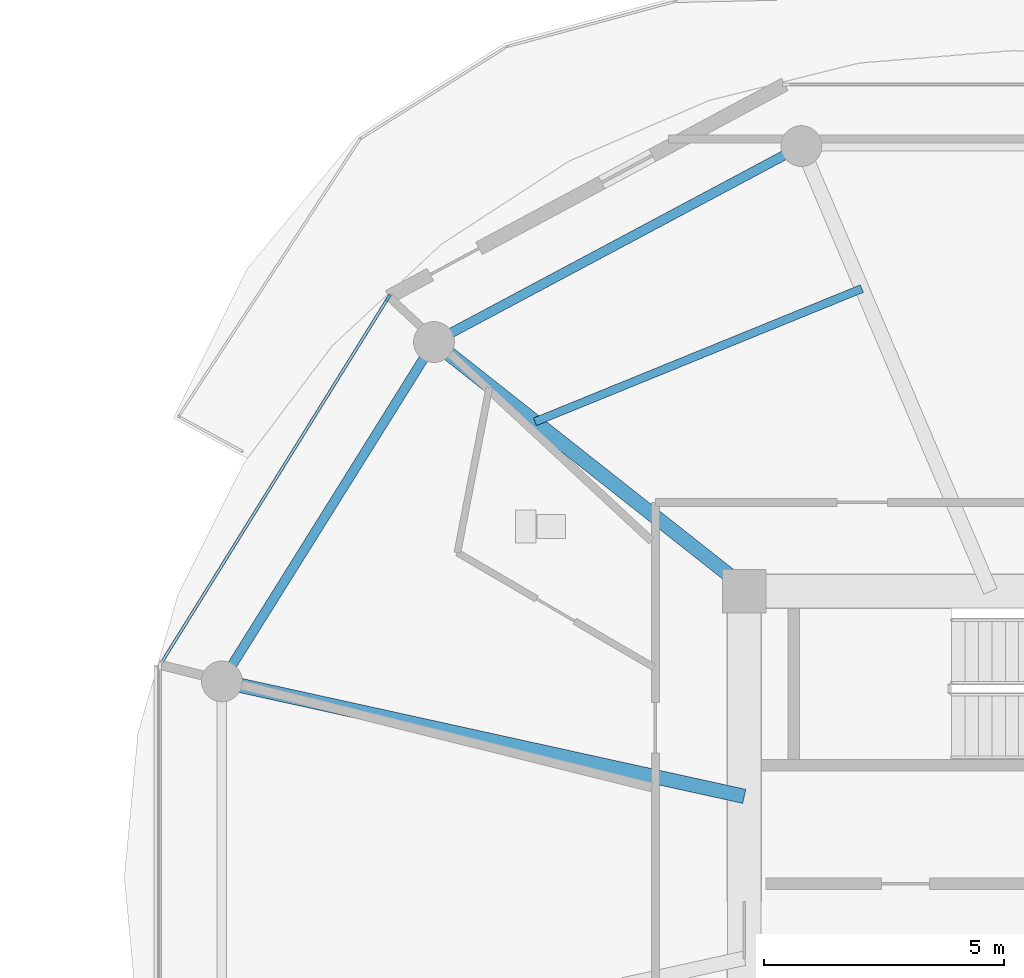
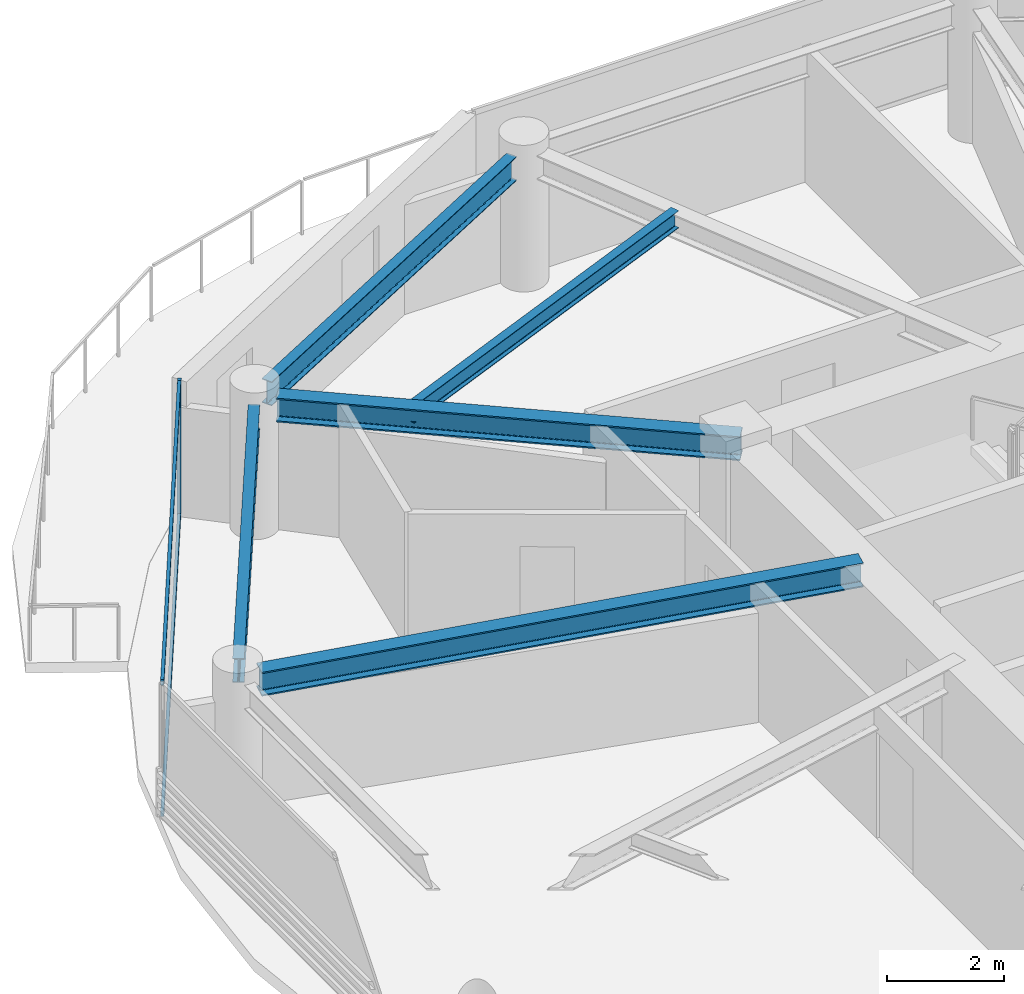
# One storey, part 8 of 24: 5 beams, 3 members, 1 element without a shape of its own.
"""IFC4 building model written with IfcOpenShell, lengths in metres."""

import ifcopenshell
import ifcopenshell.guid

model = None  # the IFC model being written
_history = None  # IfcOwnerHistory: only IFC2X3 demands one
_inside = {}  # id of a spatial element -> (the spatial element, [elements in it])
_under = {}  # id of a project, library or spatial element -> (it, [spatial elements below it])
_declared = {}  # id of a project -> (the project, [libraries it declares])
_typed = {}  # id of a type object -> (the type object, [elements of that type])
_made_of = {}  # id of a material, layer set ... -> (it, [elements and type objects made of it])


def new_model(schema):
    """Start an empty IFC model of exactly this schema.

    Asked for "IFC4X3", IfcOpenShell would pick the latest addendum, in which some entities
    have other attributes; the version numbers below select the first issue.
    IFC2X3 requires an IfcOwnerHistory on every rooted entity: one is made here for all.
    """
    global model, _history
    if schema == "IFC4X3":
        model = ifcopenshell.file(schema_version=(4, 3, 0, 0))
    else:
        model = ifcopenshell.file(schema=schema)
    _inside.clear()
    _under.clear()
    _declared.clear()
    _typed.clear()
    _made_of.clear()
    _history = None
    if model.schema == "IFC2X3":
        org = make("IfcOrganization", Name="unknown")
        user = make(
            "IfcPersonAndOrganization",
            ThePerson=make("IfcPerson", FamilyName="unknown"),
            TheOrganization=org,
        )
        app = make(
            "IfcApplication",
            ApplicationDeveloper=org,
            Version="unknown",
            ApplicationFullName="unknown",
            ApplicationIdentifier="unknown",
        )
        _history = make(
            "IfcOwnerHistory",
            OwningUser=user,
            OwningApplication=app,
            ChangeAction="ADDED",
            CreationDate=0,
        )
    return model


def make(cls, **values):
    """One entity of the class cls with the attributes given. An attribute that is None is left unset."""
    return model.create_entity(
        cls, **{name: value for name, value in values.items() if value is not None}
    )


def rooted(cls, **values):
    """An entity with a GlobalId (a new one), such as an element, a storey or a relation."""
    return make(cls, GlobalId=ifcopenshell.guid.new(), OwnerHistory=_history, **values)


def si_unit(unit_type, name, prefix=None):
    """IfcSIUnit, for example si_unit("LENGTHUNIT", "METRE", prefix="MILLI")."""
    return make("IfcSIUnit", UnitType=unit_type, Prefix=prefix, Name=name)


def assignment(units):
    """IfcUnitAssignment: the units of a project."""
    return None if units is None else make("IfcUnitAssignment", Units=units)


def point(xyz):
    """IfcCartesianPoint."""
    return None if xyz is None else make("IfcCartesianPoint", Coordinates=xyz)


def direction(xyz):
    """IfcDirection."""
    return None if xyz is None else make("IfcDirection", DirectionRatios=xyz)


def frame(location, z_axis=None, x_axis=None):
    """IfcAxis2Placement3D, a coordinate frame: its origin and axes. An axis left out is left unset."""
    return make(
        "IfcAxis2Placement3D",
        Location=point(location),
        Axis=direction(z_axis),
        RefDirection=direction(x_axis),
    )


def frame_2d(location, x_axis=None):
    """IfcAxis2Placement2D, a coordinate frame in the plane: its origin and x axis."""
    return make(
        "IfcAxis2Placement2D", Location=point(location), RefDirection=direction(x_axis)
    )


def origin():
    """The frame at (0, 0, 0) with its axes left unset."""
    return frame((0.0, 0.0, 0.0))


def origin_2d():
    """The frame at (0, 0) in the plane with its x axis left unset."""
    return frame_2d((0.0, 0.0))


def place(relative_to, where):
    """IfcLocalPlacement: puts the frame where relative to a parent placement (None: the world)."""
    return make(
        "IfcLocalPlacement", PlacementRelTo=relative_to, RelativePlacement=where
    )


def context(
    kind, dimensions, precision=None, world=None, true_north=None, identifier=None
):
    """IfcGeometricRepresentationContext, for example the 3D "Model" context."""
    return make(
        "IfcGeometricRepresentationContext",
        ContextIdentifier=identifier,
        ContextType=kind,
        CoordinateSpaceDimension=dimensions,
        Precision=precision,
        WorldCoordinateSystem=world,
        TrueNorth=true_north,
    )


def subcontext(parent, identifier, kind, view, scale=None):
    """IfcGeometricRepresentationSubContext, for example "Body" below "Model"."""
    return make(
        "IfcGeometricRepresentationSubContext",
        ContextIdentifier=identifier,
        ContextType=kind,
        ParentContext=parent,
        TargetScale=scale,
        TargetView=view,
    )


def project(units=None, contexts=None):
    """IfcProject with its units and contexts."""
    return rooted(
        "IfcProject",
        Name="project",
        RepresentationContexts=contexts,
        UnitsInContext=assignment(units),
    )


def spatial(cls, under=None, at=None, **own):
    """A site, building, storey or space (cls), placed at a placement, below another one or the project."""
    s = rooted(cls, ObjectPlacement=at, **own)
    if under is not None:
        _under.setdefault(under.id(), (under, []))[1].append(s)
    return s


def profile(cls, at=None, kind="AREA", **sizes):
    """A parametric profile (cls). Its sizes go by their IFC names, for example OverallWidth=200.0."""
    return make(cls, ProfileType=kind, Position=at, **sizes)


def rectangle(**sizes):
    """IfcRectangleProfileDef."""
    return profile("IfcRectangleProfileDef", **sizes)


def i_section(**sizes):
    """IfcIShapeProfileDef."""
    return profile("IfcIShapeProfileDef", **sizes)


def extrude(swept, where, along, depth):
    """IfcExtrudedAreaSolid: the profile swept, set in the frame where, extruded along a direction by depth."""
    return make(
        "IfcExtrudedAreaSolid",
        SweptArea=swept,
        Position=where,
        ExtrudedDirection=direction(along),
        Depth=depth,
    )


def shape(context_of_items, identifier, shape_type, items):
    """IfcShapeRepresentation: the items that make up one representation, for example the "Body"."""
    return make(
        "IfcShapeRepresentation",
        ContextOfItems=context_of_items,
        RepresentationIdentifier=identifier,
        RepresentationType=shape_type,
        Items=items,
    )


def source(mapping_origin, context_of_items, identifier, shape_type, items):
    """IfcRepresentationMap: a shape defined once, which mapped items show again and again."""
    return make(
        "IfcRepresentationMap",
        MappingOrigin=mapping_origin,
        MappedRepresentation=shape(context_of_items, identifier, shape_type, items),
    )


def transform(
    local_origin,
    x_axis=None,
    y_axis=None,
    z_axis=None,
    scale=None,
    scale2=None,
    scale3=None,
    uniform=True,
):
    """IfcCartesianTransformationOperator3D, or its non-uniform kind. x_axis, y_axis, z_axis: its Axis1, 2, 3."""
    if uniform:
        return make(
            "IfcCartesianTransformationOperator3D",
            Axis1=direction(x_axis),
            Axis2=direction(y_axis),
            LocalOrigin=point(local_origin),
            Scale=scale,
            Axis3=direction(z_axis),
        )
    return make(
        "IfcCartesianTransformationOperator3DnonUniform",
        Axis1=direction(x_axis),
        Axis2=direction(y_axis),
        LocalOrigin=point(local_origin),
        Scale=scale,
        Axis3=direction(z_axis),
        Scale2=scale2,
        Scale3=scale3,
    )


def mapped(mapping_source, mapping_target):
    """IfcMappedItem: shows the shape of a source again, moved by a transform."""
    return make(
        "IfcMappedItem", MappingSource=mapping_source, MappingTarget=mapping_target
    )


def material(Name=None, Category=None):
    """IfcMaterial."""
    return make("IfcMaterial", Name=Name, Category=Category)


def layer(
    of_material, thickness, ventilated=None, Name=None, Category=None, Priority=None
):
    """IfcMaterialLayer: one layer of a wall or slab, of a material (None: an air gap)."""
    return make(
        "IfcMaterialLayer",
        Material=of_material,
        LayerThickness=thickness,
        IsVentilated=ventilated,
        Name=Name,
        Category=Category,
        Priority=Priority,
    )


def layer_set(layers, Name=None):
    """IfcMaterialLayerSet."""
    return make("IfcMaterialLayerSet", MaterialLayers=layers, LayerSetName=Name)


def material_profile(
    of_material, cross_section, Name=None, Category=None, Priority=None
):
    """IfcMaterialProfile: a cross section and its material."""
    return make(
        "IfcMaterialProfile",
        Name=Name,
        Material=of_material,
        Profile=cross_section,
        Priority=Priority,
        Category=Category,
    )


def profile_set(profiles, Name=None, composite=None):
    """IfcMaterialProfileSet."""
    return make(
        "IfcMaterialProfileSet",
        Name=Name,
        MaterialProfiles=profiles,
        CompositeProfile=composite,
    )


def made_of(thing, what):
    """Note that an element or type object is made of a material, layer set ...; save() writes the relation."""
    if what is not None:
        _made_of.setdefault(what.id(), (what, []))[1].append(thing)
    return thing


def type_object(cls, material=None, **own):
    """A type object (cls), such as IfcWallType, which elements share."""
    return made_of(rooted(cls, **own), material)


def type_shapes(of_type, sources):
    """Give a type object the sources (RepresentationMaps) that its elements show as mapped items."""
    of_type.RepresentationMaps = sources


def element(
    cls,
    number,
    at=None,
    inside=None,
    cuts=None,
    type_object=None,
    material=None,
    context=None,
    identifier="Body",
    shape_type=None,
    held_by="IfcProductDefinitionShape",
    body=None,
    shapes=None,
    **own,
):
    """One element of the class cls, such as IfcWall. Its Tag is "e" and its number.

    at: its placement. inside: the storey or other place that contains it. cuts: it is an
    opening in that element (IfcRelVoidsElement). A single representation is given by context,
    identifier, shape_type and body (its items); several are given by shapes. held_by: the class
    of the entity that holds the representations. save() writes the other relations.
    """
    e = rooted(cls, Tag="e%d" % number, ObjectPlacement=at, **own)
    if body is not None:
        shapes = [shape(context, identifier, shape_type, body)]
    if shapes is not None:
        e.Representation = make(held_by, Representations=shapes)
    if inside is not None:
        _inside.setdefault(inside.id(), (inside, []))[1].append(e)
    if cuts is not None:
        rooted(
            "IfcRelVoidsElement", RelatingBuildingElement=cuts, RelatedOpeningElement=e
        )
    if type_object is not None:
        _typed.setdefault(type_object.id(), (type_object, []))[1].append(e)
    return made_of(e, material)


def aggregate(whole, parts):
    """IfcRelAggregates: a whole, such as a stair, and the parts it consists of."""
    return rooted("IfcRelAggregates", RelatingObject=whole, RelatedObjects=parts)


def save(model, path):
    """Write the relations noted so far, then the file.

    IfcRelAggregates (storeys below a building ...), IfcRelContainedInSpatialStructure (elements
    in a storey), IfcRelDefinesByType, IfcRelAssociatesMaterial and IfcRelDeclares: one each for
    every whole, place, type object, material and project.
    """
    for whole, parts in _under.values():
        aggregate(whole, parts)
    for where, things in _inside.values():
        rooted(
            "IfcRelContainedInSpatialStructure",
            RelatedElements=things,
            RelatingStructure=where,
        )
    for kind, things in _typed.values():
        rooted("IfcRelDefinesByType", RelatedObjects=things, RelatingType=kind)
    for what, things in _made_of.values():
        rooted("IfcRelAssociatesMaterial", RelatedObjects=things, RelatingMaterial=what)
    for by, libraries in _declared.values():
        rooted("IfcRelDeclares", RelatingContext=by, RelatedDefinitions=libraries)
    model.write(path)


model = new_model("IFC4")

# Units and contexts
model_context = context("Model", 3, precision=1e-05, world=origin(), true_north=direction((0.0, 1.0)))
body_context = subcontext(model_context, "Body", "Model", "MODEL_VIEW")
ifc_project = project(units=[si_unit("LENGTHUNIT", "METRE"), si_unit("AREAUNIT", "SQUARE_METRE"), si_unit("VOLUMEUNIT", "CUBIC_METRE"), si_unit("PLANEANGLEUNIT", "RADIAN"), si_unit("MASSUNIT", "GRAM", prefix="KILO")], contexts=[model_context])

# Site, building, storey
site_placement = place(None, origin())
site = spatial("IfcSite", under=ifc_project, at=site_placement, CompositionType="ELEMENT")
building_placement = place(site_placement, origin())
building = spatial("IfcBuilding", under=site, at=building_placement, Name="Norrkilde Senior Care Towers", CompositionType="ELEMENT")
storey_placement = place(building_placement, frame((0.0, 0.0, 114.550048828125)))
storey = spatial("IfcBuildingStorey", under=building, at=storey_placement, Name="L35", CompositionType="ELEMENT", Elevation=114.550048828125)

# Beams
ifc_material_1 = material(Name="Steel S355", Category="steel")
ifc_material_profile_1 = material_profile(ifc_material_1, i_section(OverallWidth=0.199951171875, OverallDepth=0.5, WebThickness=0.01025390625, FlangeThickness=0.01611328125, FilletRadius=0.02099609375, at=origin_2d()), Name="IPE 500")
ifc_profile_set_1 = profile_set([ifc_material_profile_1], Name="Steel S355")
beam_type_1 = type_object("IfcBeamType", Name="Perimeter Ring Spandrel Z2 IPE500", PredefinedType="SPANDREL", material=ifc_profile_set_1)
shared_shape_1 = source(origin(), body_context, "Body", "SweptSolid", [
    extrude(i_section(OverallWidth=0.199951171875, OverallDepth=0.5, WebThickness=0.01025390625, FlangeThickness=0.01611328125, FilletRadius=0.02099609375, at=origin_2d()), origin(), (0.0, 0.0, 1.0), 7.55615234375),
])
beam_1_placement = place(storey_placement, frame((13.689697265625, 10.810546875, 2.5400390625), z_axis=(-0.529981514254, -0.848009194849, 0.0), x_axis=(0.848009194849, -0.529981514254, 0.0)))
element("IfcBeam", 1, at=beam_1_placement, inside=storey, type_object=beam_type_1, Name="L35 Drum E Perimeter Spandrel 05", PredefinedType="SPANDREL", context=body_context, shape_type="MappedRepresentation", body=[
    mapped(shared_shape_1, transform((0.0, 0.0, 0.0), x_axis=(1.0, 0.0, 0.0), y_axis=(0.0, 1.0, 0.0), z_axis=(0.0, 0.0, 1.0), scale=1.0)),
])
ifc_material_profile_2 = material_profile(ifc_material_1, i_section(OverallWidth=0.300048828125, OverallDepth=0.5, WebThickness=0.014404296875, FlangeThickness=0.028076171875, FilletRadius=0.027099609375, at=origin_2d()), Name="HEB 500")
ifc_profile_set_2 = profile_set([ifc_material_profile_2], Name="Steel S355")
beam_type_2 = type_object("IfcBeamType", Name="Radial Floor Beam Z2 HEB500", PredefinedType="BEAM", material=ifc_profile_set_2)
shared_shape_2 = source(origin(), body_context, "Body", "SweptSolid", [
    extrude(i_section(OverallWidth=0.300048828125, OverallDepth=0.5, WebThickness=0.014404296875, FlangeThickness=0.028076171875, FilletRadius=0.027099609375, at=origin_2d()), origin(), (0.0, 0.0, 1.0), 10.744384765625),
])
beam_2_placement = place(storey_placement, frame((20.35009765625, 1.683837890625, 2.5400390625), z_axis=(-0.976618711422, 0.214978818724, 0.0), x_axis=(-0.214978818724, -0.976618711422, 0.0)))
element("IfcBeam", 2, at=beam_2_placement, inside=storey, type_object=beam_type_2, Name="L35 Drum E Radial Floor Beam 06", PredefinedType="BEAM", context=body_context, shape_type="MappedRepresentation", body=[
    mapped(shared_shape_2, transform((0.0, 0.0, 0.0), x_axis=(1.0, 0.0, 0.0), y_axis=(0.0, 1.0, 0.0), z_axis=(0.0, 0.0, 1.0), scale=1.0)),
])
shared_shape_3 = source(origin(), body_context, "Body", "SweptSolid", [
    extrude(i_section(OverallWidth=0.199951171875, OverallDepth=0.5, WebThickness=0.01025390625, FlangeThickness=0.01611328125, FilletRadius=0.02099609375, at=origin_2d()), origin(), (0.0, 0.0, 1.0), 7.892333984375),
])
type_shapes(beam_type_1, [shared_shape_1, shared_shape_3])
beam_3_placement = place(storey_placement, frame((21.197509765625, 15.0322265625, 2.5400390625), z_axis=(-0.882350372282, -0.47059305194, 0.0), x_axis=(0.47059305194, -0.882350372282, 0.0)))
element("IfcBeam", 3, at=beam_3_placement, inside=storey, type_object=beam_type_1, Name="L35 Drum E Perimeter Spandrel 04", PredefinedType="SPANDREL", context=body_context, shape_type="MappedRepresentation", body=[
    mapped(shared_shape_3, transform((0.0, 0.0, 0.0), x_axis=(1.0, 0.0, 0.0), y_axis=(0.0, 1.0, 0.0), z_axis=(0.0, 0.0, 1.0), scale=1.0)),
])
shared_shape_4 = source(origin(), body_context, "Body", "SweptSolid", [
    extrude(i_section(OverallWidth=0.300048828125, OverallDepth=0.5, WebThickness=0.014404296875, FlangeThickness=0.028076171875, FilletRadius=0.027099609375, at=origin_2d()), origin(), (0.0, 0.0, 1.0), 7.985595703125),
])
type_shapes(beam_type_2, [shared_shape_2, shared_shape_4])
beam_4_placement = place(storey_placement, frame((20.463623046875, 5.949951171875, 2.5400390625), z_axis=(-0.784858505144, 0.619675017169, 0.0), x_axis=(-0.619675017169, -0.784858505144, 0.0)))
element("IfcBeam", 4, at=beam_4_placement, inside=storey, type_object=beam_type_2, Name="L35 Drum E Radial Floor Beam 05", PredefinedType="BEAM", context=body_context, shape_type="MappedRepresentation", body=[
    mapped(shared_shape_4, transform((0.0, 0.0, 0.0), x_axis=(1.0, 0.0, 0.0), y_axis=(0.0, 1.0, 0.0), z_axis=(0.0, 0.0, 1.0), scale=1.0)),
])
ifc_material_profile_3 = material_profile(ifc_material_1, i_section(OverallWidth=0.169921875, OverallDepth=0.360107421875, WebThickness=0.008056640625, FlangeThickness=0.0126953125, FilletRadius=0.01806640625, at=origin_2d()), Name="IPE 360")
ifc_profile_set_3 = profile_set([ifc_material_profile_3], Name="Steel S355")
beam_type_3 = type_object("IfcBeamType", Name="Secondary Floor Joist IPE360", PredefinedType="JOIST", material=ifc_profile_set_3)
shared_shape_5 = source(origin(), body_context, "Body", "SweptSolid", [
    extrude(i_section(OverallWidth=0.169921875, OverallDepth=0.360107421875, WebThickness=0.008056640625, FlangeThickness=0.0126953125, FilletRadius=0.01806640625, at=origin_2d()), origin(), (0.0, 0.0, 1.0), 7.343505859375),
])
type_shapes(beam_type_3, [shared_shape_5])
beam_5_placement = place(storey_placement, frame((22.79638671875, 12.2490234375, 2.60986328125), z_axis=(-0.926021784767, -0.377470070519, 0.0), x_axis=(0.377470070519, -0.926021784767, 0.0)))
element("IfcBeam", 5, at=beam_5_placement, inside=storey, type_object=beam_type_3, Name="L35 Drum E Secondary Floor Joist 2", PredefinedType="JOIST", context=body_context, shape_type="MappedRepresentation", body=[
    mapped(shared_shape_5, transform((0.0, 0.0, 0.0), x_axis=(1.0, 0.0, 0.0), y_axis=(0.0, 1.0, 0.0), z_axis=(0.0, 0.0, 1.0), scale=1.0)),
])

# Curtain wall, members
ifc_material_2 = material(Name="Triple Low-E Insulated Glazing", Category="glass")
ifc_layer = layer(ifc_material_2, 0.195068359375)
ifc_layer_set = layer_set([ifc_layer], Name="Triple Low-E Insulated Glazing")
curtain_wall_type = type_object("IfcCurtainWallType", Name="CW3 Zone 2 Assisted Living Curtain Wall", PredefinedType="NOTDEFINED", material=ifc_layer_set)
curtain_wall_placement = place(storey_placement, origin())
curtain_wall = element("IfcCurtainWall", 6, at=curtain_wall_placement, inside=storey, type_object=curtain_wall_type, Name="L35 Drum E Curtain Wall 04", PredefinedType="NOTDEFINED")
ifc_material_3 = material(Name="Anodised Aluminium", Category="aluminium")
ifc_material_profile_4 = material_profile(ifc_material_3, rectangle(XDim=0.06494140625, YDim=0.159912109375, at=origin_2d()), Name="ALU MULL 65x160")
ifc_profile_set_4 = profile_set([ifc_material_profile_4], Name="Anodised Aluminium")
member_type_1 = type_object("IfcMemberType", Name="Curtain Wall Mullion Z1-Z2 65x160", PredefinedType="MULLION", material=ifc_profile_set_4)
shared_shape_6 = source(origin(), body_context, "Body", "SweptSolid", [
    extrude(rectangle(XDim=0.06494140625, YDim=0.159912109375, at=origin_2d()), origin(), (0.0, 0.0, 1.0), 2.7900390625),
])
type_shapes(member_type_1, [shared_shape_6])
member_1_placement = place(storey_placement, frame((12.936279296875, 12.0498046875, 0.0), z_axis=(0.0, 0.0, 1.0), x_axis=(-0.849410171862, 0.527733228002, 0.0)))
member_1 = element("IfcMember", 7, at=member_1_placement, type_object=member_type_1, Name="CW-3 mullion 2", PredefinedType="MULLION", context=body_context, shape_type="MappedRepresentation", body=[
    mapped(shared_shape_6, transform((0.0, 0.0, 0.0), x_axis=(1.0, 0.0, 0.0), y_axis=(0.0, 1.0, 0.0), z_axis=(0.0, 0.0, 1.0), scale=1.0)),
])
ifc_material_profile_5 = material_profile(ifc_material_3, rectangle(XDim=0.06005859375, YDim=0.1201171875, at=origin_2d()), Name="ALU TRAN 60x120")
ifc_profile_set_5 = profile_set([ifc_material_profile_5], Name="Anodised Aluminium")
member_type_2 = type_object("IfcMemberType", Name="Curtain Wall Transom Typical 60x120", PredefinedType="USERDEFINED", material=ifc_profile_set_5)
shared_shape_7 = source(origin(), body_context, "Body", "SweptSolid", [
    extrude(rectangle(XDim=0.06005859375, YDim=0.1201171875, at=origin_2d()), origin(), (0.0, 0.0, 1.0), 8.88427734375),
])
type_shapes(member_type_2, [shared_shape_7])
member_2_placement = place(storey_placement, frame((8.23046875, 4.475830078125, 0.030029296875), z_axis=(0.527749293309, 0.849400190377, 0.0), x_axis=(-0.849400190377, 0.527749293309, 0.0)))
member_2 = element("IfcMember", 8, at=member_2_placement, type_object=member_type_2, Name="CW-3 transom 1.1", ObjectType="TRANSOM", PredefinedType="USERDEFINED", context=body_context, shape_type="MappedRepresentation", body=[
    mapped(shared_shape_7, transform((0.0, 0.0, 0.0), x_axis=(1.0, 0.0, 0.0), y_axis=(0.0, 1.0, 0.0), z_axis=(0.0, 0.0, 1.0), scale=1.0)),
])
member_3_placement = place(storey_placement, frame((8.23046875, 4.475830078125, 2.760009765625), z_axis=(0.527749293309, 0.849400190377, 0.0), x_axis=(-0.849400190377, 0.527749293309, 0.0)))
member_3 = element("IfcMember", 9, at=member_3_placement, type_object=member_type_2, Name="CW-3 transom 1.2", ObjectType="TRANSOM", PredefinedType="USERDEFINED", context=body_context, shape_type="MappedRepresentation", body=[
    mapped(shared_shape_7, transform((0.0, 0.0, 0.0), x_axis=(1.0, 0.0, 0.0), y_axis=(0.0, 1.0, 0.0), z_axis=(0.0, 0.0, 1.0), scale=1.0)),
])
aggregate(curtain_wall, [member_1, member_2, member_3])

save(model, "model.ifc")
